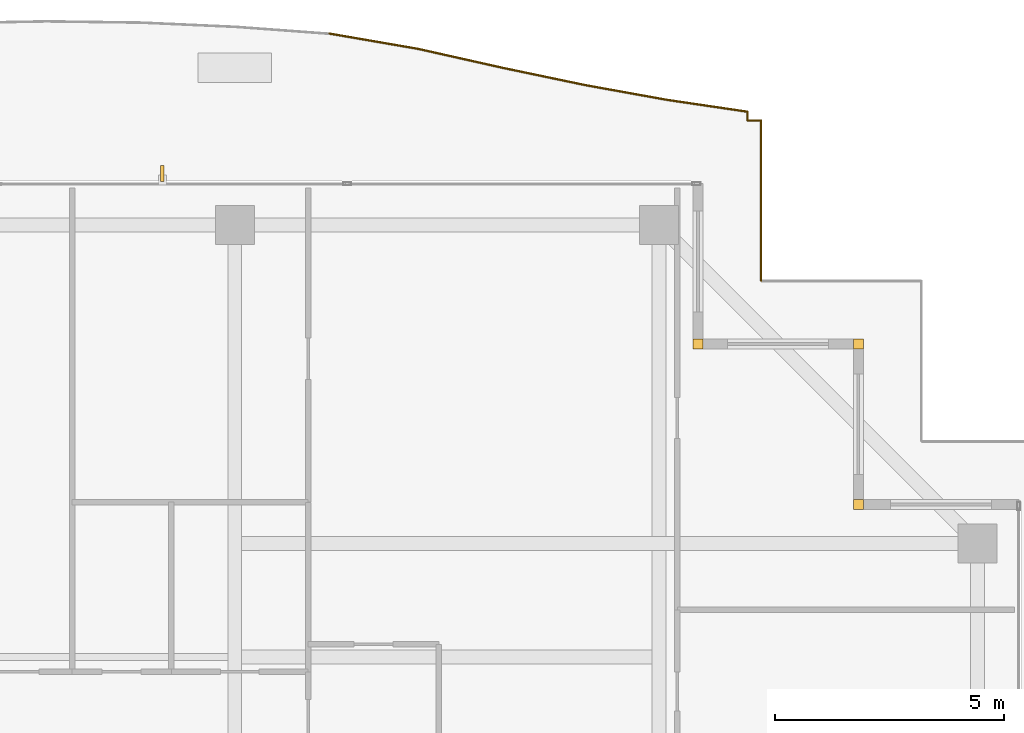
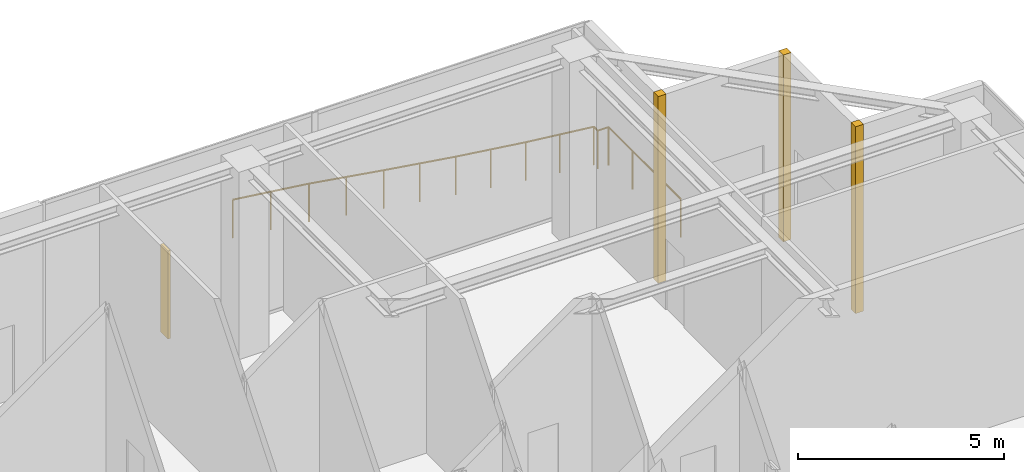
# One storey, part 38 of 38: 3 coverings, 1 railing, 1 shading device.
"""IFC4 building model written with IfcOpenShell, lengths in metres."""

from ifc_helpers import new_model, si_unit, direction, frame, origin, origin_2d, place, context, subcontext, project, spatial, rectangle, circle, extrude, source, transform, mapped, material, layer, layer_set, type_object, element, save


model = new_model("IFC4")

# Units and contexts
model_context = context("Model", 3, precision=1e-05, world=origin(), true_north=direction((0.0, 1.0)))
body_context = subcontext(model_context, "Body", "Model", "MODEL_VIEW")
ifc_project = project(units=[si_unit("LENGTHUNIT", "METRE"), si_unit("AREAUNIT", "SQUARE_METRE"), si_unit("VOLUMEUNIT", "CUBIC_METRE"), si_unit("PLANEANGLEUNIT", "RADIAN"), si_unit("MASSUNIT", "GRAM", prefix="KILO")], contexts=[model_context])

# Site, building, storey
site_placement = place(None, origin())
site = spatial("IfcSite", under=ifc_project, at=site_placement, CompositionType="ELEMENT")
building_placement = place(site_placement, origin())
building = spatial("IfcBuilding", under=site, at=building_placement, Name="Serunith Strait Residences", CompositionType="ELEMENT")
storey_placement = place(building_placement, frame((0.0, 0.0, 353.85009765625)))
storey = spatial("IfcBuildingStorey", under=building, at=storey_placement, Name="L87", CompositionType="ELEMENT", Elevation=353.85009765625)

# Railing
ifc_material_1 = material(Name="Stainless Steel & Laminated Glass Balustrade", Category="steel")
railing_type = type_object("IfcRailingType", Name="RLG-BALC-1150", PredefinedType="BALUSTRADE", material=ifc_material_1)
railing_placement = place(storey_placement, frame((38.961181640625, 49.6748046875, -0.050048828125)))
element("IfcRailing", 1, at=railing_placement, inside=storey, type_object=railing_type, Name="L87 Swirling Balcony Perimeter Balustrade 6", PredefinedType="BALUSTRADE", context=body_context, shape_type="SweptSolid", body=[
    extrude(circle(Radius=0.02392578125, at=origin_2d()), frame((0.001953125, -0.000244140625, 1.1259765625), z_axis=(0.985453673882, -0.169944275081, 0.0), x_axis=(0.169944275081, 0.985453673882, 0.0)), (0.0, 0.0, 1.0), 1.965576171875),
    extrude(circle(Radius=0.02392578125, at=origin_2d()), frame((1.94287109375, -0.335205078125, 1.1259765625), z_axis=(0.975763978686, -0.218825633552, 0.0), x_axis=(0.218825633552, 0.975763978686, 0.0)), (0.0, 0.0, 1.0), 1.8916015625),
    extrude(circle(Radius=0.02392578125, at=origin_2d()), frame((3.79248046875, -0.75, 1.1259765625), z_axis=(0.978816621987, -0.20473890818, 0.0), x_axis=(0.20473890818, 0.978816621987, 0.0)), (0.0, 0.0, 1.0), 1.834716796875),
    extrude(circle(Radius=0.02392578125, at=origin_2d()), frame((5.59228515625, -1.126220703125, 1.1259765625), z_axis=(0.984105647317, -0.177583993981, 0.0), x_axis=(0.177583993981, 0.984105647317, 0.0)), (0.0, 0.0, 1.0), 1.795654296875),
    extrude(circle(Radius=0.02392578125, at=origin_2d()), frame((7.36328125, -1.44580078125, 1.1259765625), z_axis=(0.989307910656, -0.145841893548, 0.0), x_axis=(0.145841893548, 0.989307910656, 0.0)), (0.0, 0.0, 1.0), 1.773681640625),
    extrude(circle(Radius=0.02392578125, at=origin_2d()), frame((9.1201171875, -1.706787109375, 1.1259765625), z_axis=(-0.010282232766, -0.999947136447, 0.0), x_axis=(0.999947136447, -0.010282232766, 0.0)), (0.0, 0.0, 1.0), 0.18603515625),
    extrude(circle(Radius=0.02392578125, at=origin_2d()), frame((9.1201171875, -1.894775390625, 1.1259765625), z_axis=(1.0, 0.0, 0.0), x_axis=(0.0, 1.0, 0.0)), (0.0, 0.0, 1.0), 0.296630859375),
    extrude(circle(Radius=0.02392578125, at=origin_2d()), frame((9.418701171875, -1.896728515625, 1.1259765625), z_axis=(0.0, -1.0, 0.0), x_axis=(1.0, 0.0, 0.0)), (0.0, 0.0, 1.0), 3.49609375),
    extrude(circle(Radius=0.02099609375, at=origin_2d()), origin(), (0.0, 0.0, 1.0), 1.099853515625),
    extrude(circle(Radius=0.02099609375, at=origin_2d()), frame((0.970458984375, -0.16748046875, 0.0)), (0.0, 0.0, 1.0), 1.099853515625),
    extrude(circle(Radius=0.02099609375, at=origin_2d()), frame((1.94091796875, -0.334716796875, 0.0)), (0.0, 0.0, 1.0), 1.099853515625),
    extrude(circle(Radius=0.02099609375, at=origin_2d()), frame((2.86572265625, -0.5419921875, 0.0)), (0.0, 0.0, 1.0), 1.099853515625),
    extrude(circle(Radius=0.02099609375, at=origin_2d()), frame((3.79052734375, -0.74951171875, 0.0)), (0.0, 0.0, 1.0), 1.099853515625),
    extrude(circle(Radius=0.02099609375, at=origin_2d()), frame((4.6904296875, -0.937744140625, 0.0)), (0.0, 0.0, 1.0), 1.099853515625),
    extrude(circle(Radius=0.02099609375, at=origin_2d()), frame((5.59033203125, -1.1259765625, 0.0)), (0.0, 0.0, 1.0), 1.099853515625),
    extrude(circle(Radius=0.02099609375, at=origin_2d()), frame((6.475830078125, -1.28564453125, 0.0)), (0.0, 0.0, 1.0), 1.099853515625),
    extrude(circle(Radius=0.02099609375, at=origin_2d()), frame((7.361328125, -1.445556640625, 0.0)), (0.0, 0.0, 1.0), 1.099853515625),
    extrude(circle(Radius=0.02099609375, at=origin_2d()), frame((8.24072265625, -1.5751953125, 0.0)), (0.0, 0.0, 1.0), 1.099853515625),
    extrude(circle(Radius=0.02099609375, at=origin_2d()), frame((9.1201171875, -1.704833984375, 0.0)), (0.0, 0.0, 1.0), 1.099853515625),
    extrude(circle(Radius=0.02099609375, at=origin_2d()), frame((9.1181640625, -1.894775390625, 0.0)), (0.0, 0.0, 1.0), 1.099853515625),
    extrude(circle(Radius=0.02099609375, at=origin_2d()), frame((9.418701171875, -1.894775390625, 0.0)), (0.0, 0.0, 1.0), 1.099853515625),
    extrude(circle(Radius=0.02099609375, at=origin_2d()), frame((9.418701171875, -3.0615234375, 0.0)), (0.0, 0.0, 1.0), 1.099853515625),
    extrude(circle(Radius=0.02099609375, at=origin_2d()), frame((9.418701171875, -4.22802734375, 0.0)), (0.0, 0.0, 1.0), 1.099853515625),
    extrude(circle(Radius=0.02099609375, at=origin_2d()), frame((9.418701171875, -5.394775390625, 0.0)), (0.0, 0.0, 1.0), 1.099853515625),
])

# Shading device
ifc_material_2 = material(Name="Pale-Champagne Perforated Aluminium Fin", Category="aluminium")
shading_device_type = type_object("IfcShadingDeviceType", Name="SHD-DIAG-FIN", PredefinedType="AWNING", material=ifc_material_2)
shared_shape_1 = source(origin(), body_context, "Body", "SweptSolid", [
    extrude(rectangle(XDim=0.080078125, YDim=0.35009765625, at=origin_2d()), origin(), (0.0, 0.0, 1.0), 2.60009765625),
])
shading_device_placement = place(storey_placement, frame((35.320068359375, 46.6201171875, 0.199951171875), z_axis=(0.0, 0.0, 1.0), x_axis=(1.0, 0.0, 0.0)))
element("IfcShadingDevice", 2, at=shading_device_placement, inside=storey, type_object=shading_device_type, Name="L87 Diagonal Rhythm Solar Fin N", PredefinedType="AWNING", context=body_context, shape_type="MappedRepresentation", body=[
    mapped(shared_shape_1, transform((0.0, 0.0, 0.0), scale=1.0)),
])

# Coverings
ifc_material_3 = material(Name="Pale-Champagne Anodised Aluminium", Category="aluminium")
ifc_layer = layer(ifc_material_3, 0.219970703125, Name="Pale-Champagne Anodised Aluminium")
ifc_layer_set = layer_set([ifc_layer], Name="Pale-Champagne Anodised Aluminium")
covering_type = type_object("IfcCoveringType", Name="COV-CORN-TRIM", PredefinedType="CLADDING", material=ifc_layer_set)
shared_shape_2 = source(origin(), body_context, "Body", "SweptSolid", [
    extrude(rectangle(XDim=0.221923828125, YDim=0.221923828125, at=origin_2d()), origin(), (0.0, 0.0, 1.0), 5.52490234375),
])
for number, where, z_axis, x_axis, name in (
    (3, (50.5, 39.39990234375, 0.0), (0.0, 0.0, 1.0), (1.0, 0.0, 0.0), "L87 Girih Serrated Corner Trim Post 07"),
    (4, (50.5, 42.89990234375, 0.0), (0.0, 0.0, 1.0), (1.0, 0.0, 0.0), "L87 Girih Serrated Corner Trim Post 08"),
    (5, (47.0, 42.89990234375, 0.0), (0.0, 0.0, 1.0), (1.0, 0.0, 0.0), "L87 Girih Serrated Corner Trim Post 09"),
):
    element("IfcCovering", number, at=place(storey_placement, frame(where, z_axis=z_axis, x_axis=x_axis)), inside=storey, type_object=covering_type, Name=name, PredefinedType="CLADDING", context=body_context, shape_type="MappedRepresentation", body=[
        mapped(shared_shape_2, transform((0.0, 0.0, 0.0), scale=1.0)),
    ])

save(model, "model.ifc")
